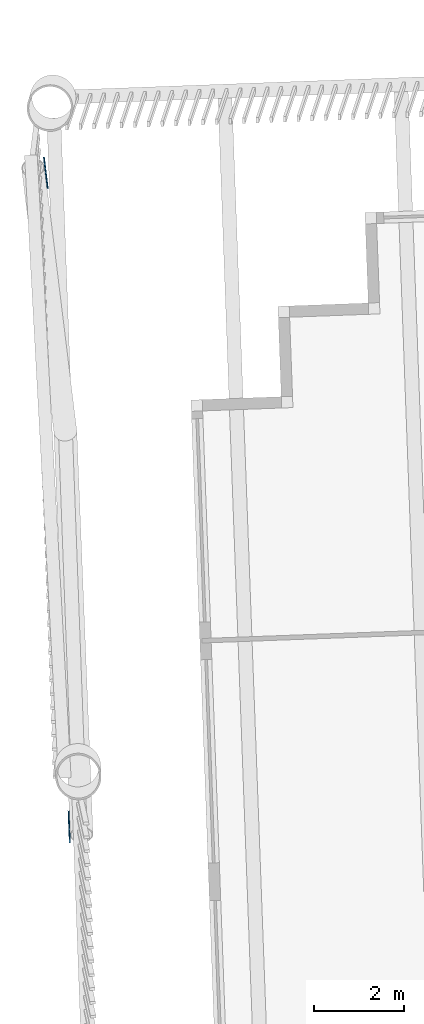
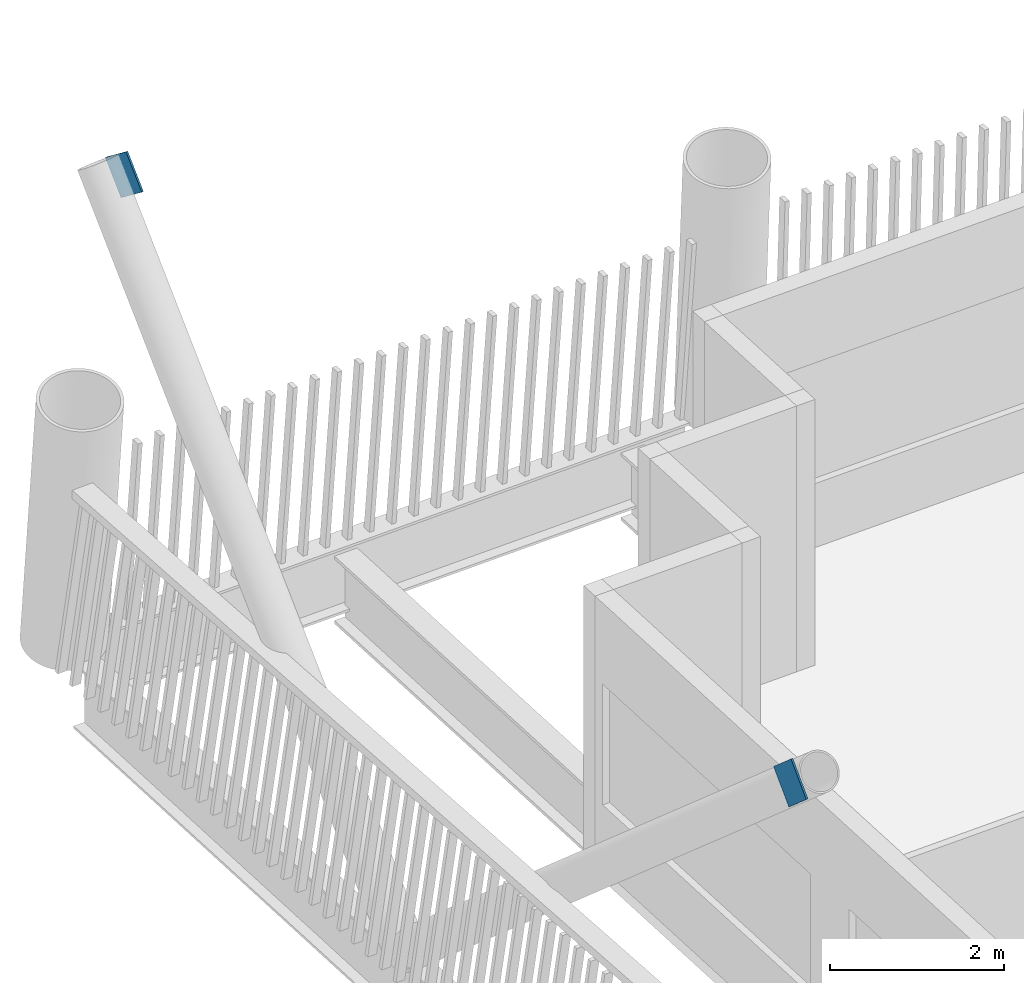
# One storey, part 10 of 20: 2 discrete accessories.
"""IFC4 building model written with IfcOpenShell, lengths in metres."""

from ifc_helpers import new_model, si_unit, direction, frame, origin, origin_2d, place, context, subcontext, project, spatial, rectangle, extrude, material, material_profile, profile_set, type_object, element, save


model = new_model("IFC4")

# Units and contexts
model_context = context("Model", 3, precision=1e-05, world=origin(), true_north=direction((0.0, 1.0)))
body_context = subcontext(model_context, "Body", "Model", "MODEL_VIEW")
ifc_project = project(units=[si_unit("LENGTHUNIT", "METRE"), si_unit("AREAUNIT", "SQUARE_METRE"), si_unit("VOLUMEUNIT", "CUBIC_METRE"), si_unit("PLANEANGLEUNIT", "RADIAN"), si_unit("MASSUNIT", "GRAM", prefix="KILO")], contexts=[model_context])

# Site, building, storey
site_placement = place(None, origin())
site = spatial("IfcSite", under=ifc_project, at=site_placement, CompositionType="ELEMENT")
building_placement = place(site_placement, origin())
building = spatial("IfcBuilding", under=site, at=building_placement, Name="Tarsis Ring Headquarters", CompositionType="ELEMENT")
storey_placement = place(building_placement, frame((0.0, 0.0, 294.199951171875)))
storey = spatial("IfcBuildingStorey", under=building, at=storey_placement, Name="L69", CompositionType="ELEMENT", Elevation=294.199951171875)

# Discrete accessories
ifc_material = material(Name="Structural steel S355", Category="steel")
ifc_material_profile = material_profile(ifc_material, rectangle(XDim=0.02490234375, YDim=0.5, at=origin_2d()), Name="PL 25x500")
ifc_profile_set = profile_set([ifc_material_profile], Name="Structural steel S355")
discrete_accessory_type = type_object("IfcDiscreteAccessoryType", Name="Gusset plate Exo brace 25", PredefinedType="BRACKET", material=ifc_profile_set)
for number, where, z_axis, x_axis, name in (
    (1, (-42.95361328125, -3.115478515625, 7.800048828125), (-0.029780889265, 0.752333612415, -0.658108831626), (-0.999217445892, -0.039553708111, 0.0), "Gusset plate GP5"),
    (2, (-43.496337890625, 11.688720703125, 7.800048828125), (0.073224330102, -0.597998695831, -0.798145198109), (0.992586388695, 0.121541190452, 0.0), "Gusset plate GP5"),
):
    element("IfcDiscreteAccessory", number, at=place(storey_placement, frame(where, z_axis=z_axis, x_axis=x_axis)), inside=storey, type_object=discrete_accessory_type, Name=name, PredefinedType="BRACKET", context=body_context, shape_type="SweptSolid", body=[
        extrude(rectangle(XDim=0.02490234375, YDim=0.5, at=origin_2d()), origin(), (0.0, 0.0, 1.0), 0.5),
    ])

save(model, "model.ifc")
